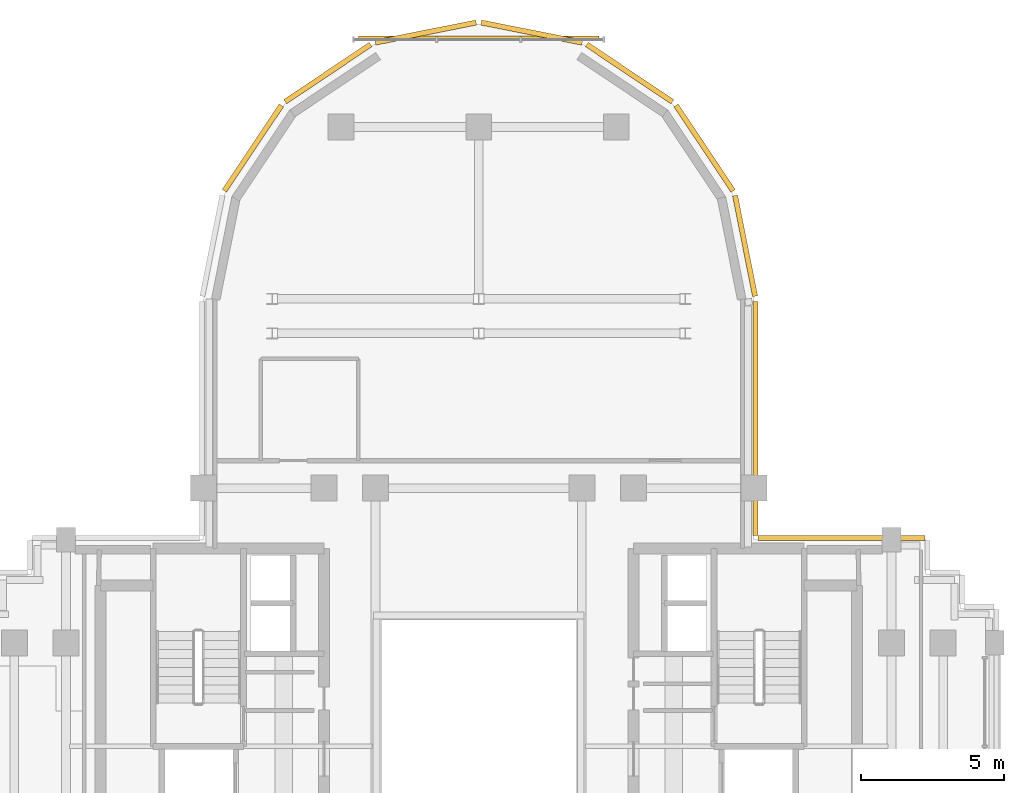
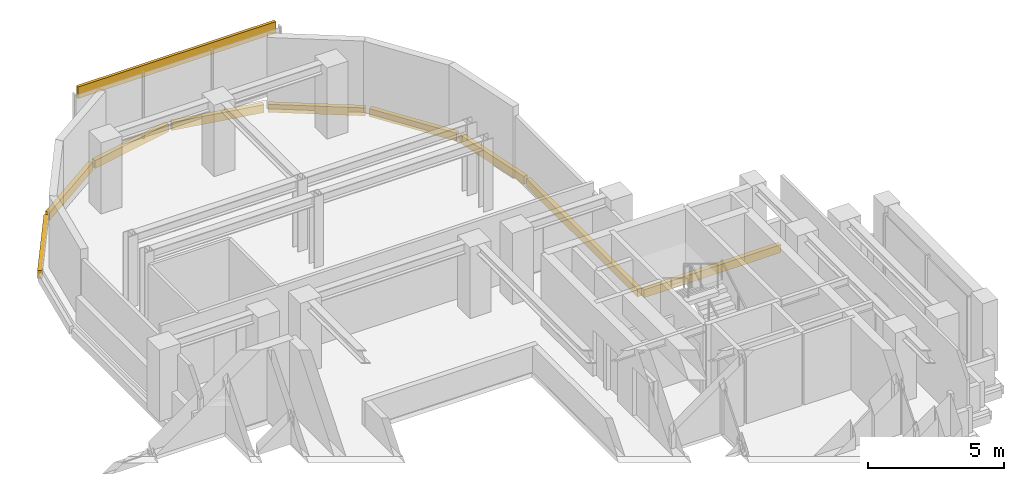
# One storey, part 11 of 11: 10 coverings.
"""IFC4 building model written with IfcOpenShell, lengths in metres."""

from ifc_helpers import new_model, si_unit, direction, frame, origin, origin_2d, place, context, subcontext, project, spatial, rectangle, extrude, source, transform, mapped, material, layer, layer_set, type_object, element, save


model = new_model("IFC4")

# Units and contexts
model_context = context("Model", 3, precision=1e-05, world=origin(), true_north=direction((0.0, 1.0)))
body_context = subcontext(model_context, "Body", "Model", "MODEL_VIEW")
ifc_project = project(units=[si_unit("LENGTHUNIT", "METRE"), si_unit("AREAUNIT", "SQUARE_METRE"), si_unit("VOLUMEUNIT", "CUBIC_METRE"), si_unit("PLANEANGLEUNIT", "RADIAN"), si_unit("MASSUNIT", "GRAM", prefix="KILO")], contexts=[model_context])

# Site, building, storey
site_placement = place(None, origin())
site = spatial("IfcSite", under=ifc_project, at=site_placement, CompositionType="ELEMENT")
building_placement = place(site_placement, origin())
building = spatial("IfcBuilding", under=site, at=building_placement, Name="Keilestroom Media Tower", CompositionType="ELEMENT")
storey_placement = place(building_placement, frame((0.0, 0.0, 160.39990234375)))
storey = spatial("IfcBuildingStorey", under=building, at=storey_placement, Name="L43", CompositionType="ELEMENT", Elevation=160.39990234375)

# Coverings
ifc_material = material(Name="Precast concrete C40/50", Category="concrete")
ifc_layer = layer(ifc_material, 0.1201171875)
ifc_layer_set = layer_set([ifc_layer], Name="Precast concrete C40/50")
covering_type = type_object("IfcCoveringType", Name="Exterior-Precast-Spandrel-Cladding-Panel-120", PredefinedType="CLADDING", material=ifc_layer_set)
shared_shape_1 = source(origin(), body_context, "Body", "SweptSolid", [
    extrude(rectangle(XDim=8.39990234375, YDim=0.1201171875, at=origin_2d()), origin(), (0.0, 0.0, 1.0), 0.52001953125),
])
covering_1_placement = place(storey_placement, frame((0.0, 24.719970703125, 2.690185546875), z_axis=(0.0, 0.0, 1.0), x_axis=(1.0, 0.0, 0.0)))
element("IfcCovering", 1, at=covering_1_placement, inside=storey, type_object=covering_type, Name="L43 Precast Spandrel Cladding N", PredefinedType="CLADDING", context=body_context, shape_type="MappedRepresentation", body=[
    mapped(shared_shape_1, transform((0.0, 0.0, 0.0), x_axis=(1.0, 0.0, 0.0), y_axis=(0.0, 1.0, 0.0), z_axis=(0.0, 0.0, 1.0), scale=1.0)),
])
shared_shape_2 = source(origin(), body_context, "Body", "SweptSolid", [
    extrude(rectangle(XDim=8.166015625, YDim=0.179931640625, at=origin_2d()), origin(), (0.0, 0.0, 1.0), 0.360107421875),
])
covering_2_placement = place(storey_placement, frame((9.659912109375, 11.43310546875, -0.5400390625), z_axis=(0.0, 0.0, 1.0), x_axis=(0.0, -1.0, 0.0)))
element("IfcCovering", 2, at=covering_2_placement, inside=storey, type_object=covering_type, Name="L43 Precast Slab-Edge Fascia Cornice 36", PredefinedType="CLADDING", context=body_context, shape_type="MappedRepresentation", body=[
    mapped(shared_shape_2, transform((0.0, 0.0, 0.0), x_axis=(1.0, 0.0, 0.0), y_axis=(0.0, 1.0, 0.0), z_axis=(0.0, 0.0, 1.0), scale=1.0)),
])
shared_shape_3 = source(origin(), body_context, "Body", "SweptSolid", [
    extrude(rectangle(XDim=3.58349609375, YDim=0.179931640625, at=origin_2d()), origin(), (0.0, 0.0, 1.0), 0.360107421875),
])
covering_3_placement = place(storey_placement, frame((9.29296875, 17.45166015625, -0.5400390625), z_axis=(0.0, 0.0, 1.0), x_axis=(0.195098880975, -0.980783577882, 0.0)))
element("IfcCovering", 3, at=covering_3_placement, inside=storey, type_object=covering_type, Name="L43 Precast Slab-Edge Fascia Cornice 35", PredefinedType="CLADDING", context=body_context, shape_type="MappedRepresentation", body=[
    mapped(shared_shape_3, transform((0.0, 0.0, 0.0), x_axis=(1.0, 0.0, 0.0), y_axis=(0.0, 1.0, 0.0), z_axis=(0.0, 0.0, 1.0), scale=1.0)),
])
shared_shape_4 = source(origin(), body_context, "Body", "SweptSolid", [
    extrude(rectangle(XDim=3.589599609375, YDim=0.179931640625, at=origin_2d()), origin(), (0.0, 0.0, 1.0), 0.360107421875),
])
for number, where, z_axis, x_axis, name in (
    (4, (-7.878662109375, 20.8642578125, -0.5400390625), (0.0, 0.0, 1.0), (0.555574586577, 0.831466703332, 0.0), "L43 Precast Slab-Edge Fascia Cornice 29"),
    (5, (-5.264404296875, 23.478515625, -0.5400390625), (0.0, 0.0, 1.0), (0.831466703332, 0.555574586577, 0.0), "L43 Precast Slab-Edge Fascia Cornice 30"),
    (6, (-1.8486328125, 24.893310546875, -0.5400390625), (0.0, 0.0, 1.0), (0.980783577882, 0.195098880975, 0.0), "L43 Precast Slab-Edge Fascia Cornice 31"),
    (7, (1.8486328125, 24.893310546875, -0.5400390625), (0.0, 0.0, 1.0), (0.980783577882, -0.195098880975, 0.0), "L43 Precast Slab-Edge Fascia Cornice 32"),
    (8, (5.264404296875, 23.478515625, -0.5400390625), (0.0, 0.0, 1.0), (0.831466703332, -0.555574586577, 0.0), "L43 Precast Slab-Edge Fascia Cornice 33"),
    (9, (7.878662109375, 20.8642578125, -0.5400390625), (0.0, 0.0, 1.0), (0.555574586577, -0.831466703332, 0.0), "L43 Precast Slab-Edge Fascia Cornice 34"),
):
    element("IfcCovering", number, at=place(storey_placement, frame(where, z_axis=z_axis, x_axis=x_axis)), inside=storey, type_object=covering_type, Name=name, PredefinedType="CLADDING", context=body_context, shape_type="MappedRepresentation", body=[
        mapped(shared_shape_4, transform((0.0, 0.0, 0.0), x_axis=(1.0, 0.0, 0.0), y_axis=(0.0, 1.0, 0.0), z_axis=(0.0, 0.0, 1.0), scale=1.0)),
    ])
shared_shape_5 = source(origin(), body_context, "Body", "SweptSolid", [
    extrude(rectangle(XDim=5.820068359375, YDim=0.179931640625, at=origin_2d()), origin(), (0.0, 0.0, 1.0), 0.360107421875),
])
covering_4_placement = place(storey_placement, frame((12.659912109375, 7.260009765625, -0.5400390625), z_axis=(0.0, 0.0, 1.0), x_axis=(1.0, 0.0, 0.0)))
element("IfcCovering", 10, at=covering_4_placement, inside=storey, type_object=covering_type, Name="L43 Precast Slab-Edge Fascia Cornice 37", PredefinedType="CLADDING", context=body_context, shape_type="MappedRepresentation", body=[
    mapped(shared_shape_5, transform((0.0, 0.0, 0.0), x_axis=(1.0, 0.0, 0.0), y_axis=(0.0, 1.0, 0.0), z_axis=(0.0, 0.0, 1.0), scale=1.0)),
])

save(model, "model.ifc")
